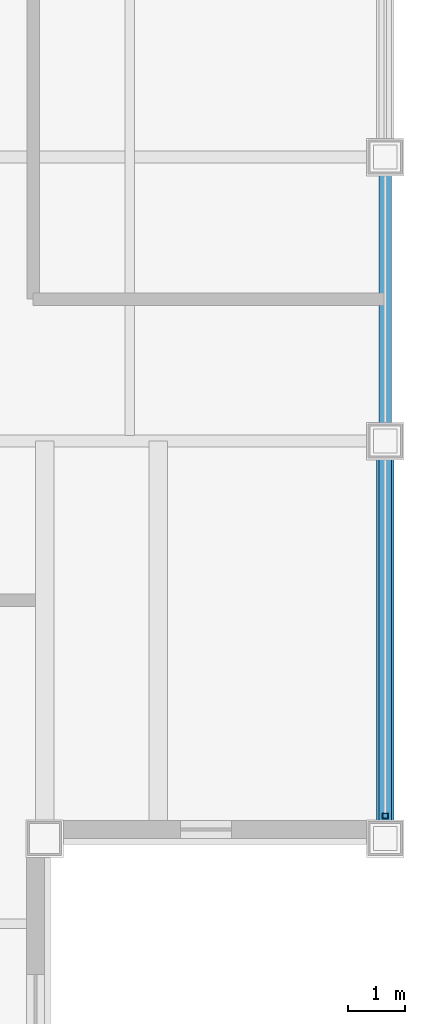
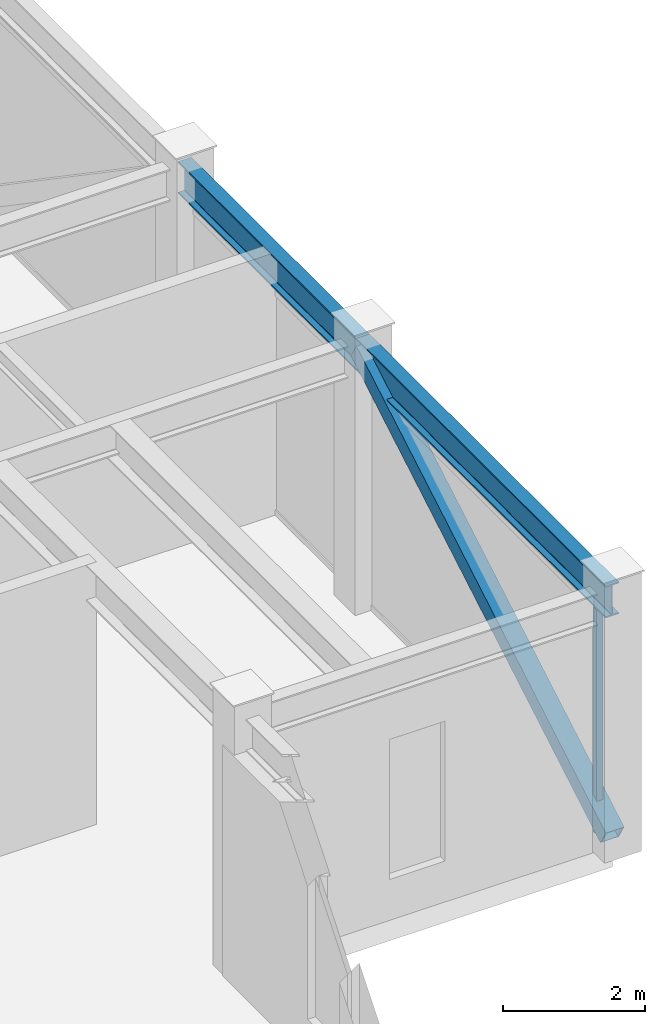
# One storey, part 10 of 27: 2 beams, 2 members, 1 element without a shape of its own.
"""IFC4 building model written with IfcOpenShell, lengths in metres."""

import ifcopenshell
import ifcopenshell.guid

model = None  # the IFC model being written
_history = None  # IfcOwnerHistory: only IFC2X3 demands one
_inside = {}  # id of a spatial element -> (the spatial element, [elements in it])
_under = {}  # id of a project, library or spatial element -> (it, [spatial elements below it])
_declared = {}  # id of a project -> (the project, [libraries it declares])
_typed = {}  # id of a type object -> (the type object, [elements of that type])
_made_of = {}  # id of a material, layer set ... -> (it, [elements and type objects made of it])


def new_model(schema):
    """Start an empty IFC model of exactly this schema.

    Asked for "IFC4X3", IfcOpenShell would pick the latest addendum, in which some entities
    have other attributes; the version numbers below select the first issue.
    IFC2X3 requires an IfcOwnerHistory on every rooted entity: one is made here for all.
    """
    global model, _history
    if schema == "IFC4X3":
        model = ifcopenshell.file(schema_version=(4, 3, 0, 0))
    else:
        model = ifcopenshell.file(schema=schema)
    _inside.clear()
    _under.clear()
    _declared.clear()
    _typed.clear()
    _made_of.clear()
    _history = None
    if model.schema == "IFC2X3":
        org = make("IfcOrganization", Name="unknown")
        user = make(
            "IfcPersonAndOrganization",
            ThePerson=make("IfcPerson", FamilyName="unknown"),
            TheOrganization=org,
        )
        app = make(
            "IfcApplication",
            ApplicationDeveloper=org,
            Version="unknown",
            ApplicationFullName="unknown",
            ApplicationIdentifier="unknown",
        )
        _history = make(
            "IfcOwnerHistory",
            OwningUser=user,
            OwningApplication=app,
            ChangeAction="ADDED",
            CreationDate=0,
        )
    return model


def make(cls, **values):
    """One entity of the class cls with the attributes given. An attribute that is None is left unset."""
    return model.create_entity(
        cls, **{name: value for name, value in values.items() if value is not None}
    )


def rooted(cls, **values):
    """An entity with a GlobalId (a new one), such as an element, a storey or a relation."""
    return make(cls, GlobalId=ifcopenshell.guid.new(), OwnerHistory=_history, **values)


def si_unit(unit_type, name, prefix=None):
    """IfcSIUnit, for example si_unit("LENGTHUNIT", "METRE", prefix="MILLI")."""
    return make("IfcSIUnit", UnitType=unit_type, Prefix=prefix, Name=name)


def assignment(units):
    """IfcUnitAssignment: the units of a project."""
    return None if units is None else make("IfcUnitAssignment", Units=units)


def point(xyz):
    """IfcCartesianPoint."""
    return None if xyz is None else make("IfcCartesianPoint", Coordinates=xyz)


def direction(xyz):
    """IfcDirection."""
    return None if xyz is None else make("IfcDirection", DirectionRatios=xyz)


def frame(location, z_axis=None, x_axis=None):
    """IfcAxis2Placement3D, a coordinate frame: its origin and axes. An axis left out is left unset."""
    return make(
        "IfcAxis2Placement3D",
        Location=point(location),
        Axis=direction(z_axis),
        RefDirection=direction(x_axis),
    )


def frame_2d(location, x_axis=None):
    """IfcAxis2Placement2D, a coordinate frame in the plane: its origin and x axis."""
    return make(
        "IfcAxis2Placement2D", Location=point(location), RefDirection=direction(x_axis)
    )


def origin():
    """The frame at (0, 0, 0) with its axes left unset."""
    return frame((0.0, 0.0, 0.0))


def origin_2d():
    """The frame at (0, 0) in the plane with its x axis left unset."""
    return frame_2d((0.0, 0.0))


def place(relative_to, where):
    """IfcLocalPlacement: puts the frame where relative to a parent placement (None: the world)."""
    return make(
        "IfcLocalPlacement", PlacementRelTo=relative_to, RelativePlacement=where
    )


def context(
    kind, dimensions, precision=None, world=None, true_north=None, identifier=None
):
    """IfcGeometricRepresentationContext, for example the 3D "Model" context."""
    return make(
        "IfcGeometricRepresentationContext",
        ContextIdentifier=identifier,
        ContextType=kind,
        CoordinateSpaceDimension=dimensions,
        Precision=precision,
        WorldCoordinateSystem=world,
        TrueNorth=true_north,
    )


def subcontext(parent, identifier, kind, view, scale=None):
    """IfcGeometricRepresentationSubContext, for example "Body" below "Model"."""
    return make(
        "IfcGeometricRepresentationSubContext",
        ContextIdentifier=identifier,
        ContextType=kind,
        ParentContext=parent,
        TargetScale=scale,
        TargetView=view,
    )


def project(units=None, contexts=None):
    """IfcProject with its units and contexts."""
    return rooted(
        "IfcProject",
        Name="project",
        RepresentationContexts=contexts,
        UnitsInContext=assignment(units),
    )


def spatial(cls, under=None, at=None, **own):
    """A site, building, storey or space (cls), placed at a placement, below another one or the project."""
    s = rooted(cls, ObjectPlacement=at, **own)
    if under is not None:
        _under.setdefault(under.id(), (under, []))[1].append(s)
    return s


def profile(cls, at=None, kind="AREA", **sizes):
    """A parametric profile (cls). Its sizes go by their IFC names, for example OverallWidth=200.0."""
    return make(cls, ProfileType=kind, Position=at, **sizes)


def hollow_rectangle(**sizes):
    """IfcRectangleHollowProfileDef."""
    return profile("IfcRectangleHollowProfileDef", **sizes)


def i_section(**sizes):
    """IfcIShapeProfileDef."""
    return profile("IfcIShapeProfileDef", **sizes)


def extrude(swept, where, along, depth):
    """IfcExtrudedAreaSolid: the profile swept, set in the frame where, extruded along a direction by depth."""
    return make(
        "IfcExtrudedAreaSolid",
        SweptArea=swept,
        Position=where,
        ExtrudedDirection=direction(along),
        Depth=depth,
    )


def shape(context_of_items, identifier, shape_type, items):
    """IfcShapeRepresentation: the items that make up one representation, for example the "Body"."""
    return make(
        "IfcShapeRepresentation",
        ContextOfItems=context_of_items,
        RepresentationIdentifier=identifier,
        RepresentationType=shape_type,
        Items=items,
    )


def source(mapping_origin, context_of_items, identifier, shape_type, items):
    """IfcRepresentationMap: a shape defined once, which mapped items show again and again."""
    return make(
        "IfcRepresentationMap",
        MappingOrigin=mapping_origin,
        MappedRepresentation=shape(context_of_items, identifier, shape_type, items),
    )


def transform(
    local_origin,
    x_axis=None,
    y_axis=None,
    z_axis=None,
    scale=None,
    scale2=None,
    scale3=None,
    uniform=True,
):
    """IfcCartesianTransformationOperator3D, or its non-uniform kind. x_axis, y_axis, z_axis: its Axis1, 2, 3."""
    if uniform:
        return make(
            "IfcCartesianTransformationOperator3D",
            Axis1=direction(x_axis),
            Axis2=direction(y_axis),
            LocalOrigin=point(local_origin),
            Scale=scale,
            Axis3=direction(z_axis),
        )
    return make(
        "IfcCartesianTransformationOperator3DnonUniform",
        Axis1=direction(x_axis),
        Axis2=direction(y_axis),
        LocalOrigin=point(local_origin),
        Scale=scale,
        Axis3=direction(z_axis),
        Scale2=scale2,
        Scale3=scale3,
    )


def mapped(mapping_source, mapping_target):
    """IfcMappedItem: shows the shape of a source again, moved by a transform."""
    return make(
        "IfcMappedItem", MappingSource=mapping_source, MappingTarget=mapping_target
    )


def material(Name=None, Category=None):
    """IfcMaterial."""
    return make("IfcMaterial", Name=Name, Category=Category)


def material_profile(
    of_material, cross_section, Name=None, Category=None, Priority=None
):
    """IfcMaterialProfile: a cross section and its material."""
    return make(
        "IfcMaterialProfile",
        Name=Name,
        Material=of_material,
        Profile=cross_section,
        Priority=Priority,
        Category=Category,
    )


def profile_set(profiles, Name=None, composite=None):
    """IfcMaterialProfileSet."""
    return make(
        "IfcMaterialProfileSet",
        Name=Name,
        MaterialProfiles=profiles,
        CompositeProfile=composite,
    )


def made_of(thing, what):
    """Note that an element or type object is made of a material, layer set ...; save() writes the relation."""
    if what is not None:
        _made_of.setdefault(what.id(), (what, []))[1].append(thing)
    return thing


def type_object(cls, material=None, **own):
    """A type object (cls), such as IfcWallType, which elements share."""
    return made_of(rooted(cls, **own), material)


def element(
    cls,
    number,
    at=None,
    inside=None,
    cuts=None,
    type_object=None,
    material=None,
    context=None,
    identifier="Body",
    shape_type=None,
    held_by="IfcProductDefinitionShape",
    body=None,
    shapes=None,
    **own,
):
    """One element of the class cls, such as IfcWall. Its Tag is "e" and its number.

    at: its placement. inside: the storey or other place that contains it. cuts: it is an
    opening in that element (IfcRelVoidsElement). A single representation is given by context,
    identifier, shape_type and body (its items); several are given by shapes. held_by: the class
    of the entity that holds the representations. save() writes the other relations.
    """
    e = rooted(cls, Tag="e%d" % number, ObjectPlacement=at, **own)
    if body is not None:
        shapes = [shape(context, identifier, shape_type, body)]
    if shapes is not None:
        e.Representation = make(held_by, Representations=shapes)
    if inside is not None:
        _inside.setdefault(inside.id(), (inside, []))[1].append(e)
    if cuts is not None:
        rooted(
            "IfcRelVoidsElement", RelatingBuildingElement=cuts, RelatedOpeningElement=e
        )
    if type_object is not None:
        _typed.setdefault(type_object.id(), (type_object, []))[1].append(e)
    return made_of(e, material)


def aggregate(whole, parts):
    """IfcRelAggregates: a whole, such as a stair, and the parts it consists of."""
    return rooted("IfcRelAggregates", RelatingObject=whole, RelatedObjects=parts)


def save(model, path):
    """Write the relations noted so far, then the file.

    IfcRelAggregates (storeys below a building ...), IfcRelContainedInSpatialStructure (elements
    in a storey), IfcRelDefinesByType, IfcRelAssociatesMaterial and IfcRelDeclares: one each for
    every whole, place, type object, material and project.
    """
    for whole, parts in _under.values():
        aggregate(whole, parts)
    for where, things in _inside.values():
        rooted(
            "IfcRelContainedInSpatialStructure",
            RelatedElements=things,
            RelatingStructure=where,
        )
    for kind, things in _typed.values():
        rooted("IfcRelDefinesByType", RelatedObjects=things, RelatingType=kind)
    for what, things in _made_of.values():
        rooted("IfcRelAssociatesMaterial", RelatedObjects=things, RelatingMaterial=what)
    for by, libraries in _declared.values():
        rooted("IfcRelDeclares", RelatingContext=by, RelatedDefinitions=libraries)
    model.write(path)


model = new_model("IFC4")

# Units and contexts
model_context = context("Model", 3, precision=1e-05, world=origin(), true_north=direction((0.0, 1.0)))
body_context = subcontext(model_context, "Body", "Model", "MODEL_VIEW")
ifc_project = project(units=[si_unit("LENGTHUNIT", "METRE"), si_unit("AREAUNIT", "SQUARE_METRE"), si_unit("VOLUMEUNIT", "CUBIC_METRE"), si_unit("PLANEANGLEUNIT", "RADIAN"), si_unit("MASSUNIT", "GRAM", prefix="KILO")], contexts=[model_context])

# Site, building, storey
site_placement = place(None, origin())
site = spatial("IfcSite", under=ifc_project, at=site_placement, CompositionType="ELEMENT")
building_placement = place(site_placement, origin())
building = spatial("IfcBuilding", under=site, at=building_placement, Name="Khorayat Bourse Tower", CompositionType="ELEMENT")
storey_placement = place(building_placement, frame((0.0, 0.0, 399.5)))
storey = spatial("IfcBuildingStorey", under=building, at=storey_placement, Name="L94", CompositionType="ELEMENT", Elevation=399.5)

# Beams
ifc_material_1 = material(Name="Steel ASTM A992 Grade 50", Category="steel")
ifc_material_profile_1 = material_profile(ifc_material_1, i_section(OverallWidth=0.214111328125, OverallDepth=0.549072265625, WebThickness=0.0146484375, FlangeThickness=0.023681640625, FilletRadius=0.013916015625, at=origin_2d()), Name="W530X138")
ifc_profile_set_1 = profile_set([ifc_material_profile_1], Name="Steel ASTM A992 Grade 50")
beam_type = type_object("IfcBeamType", Name="BM-SPAN-530", PredefinedType="SPANDREL", material=ifc_profile_set_1)
shared_shape_1 = source(origin(), body_context, "Body", "SweptSolid", [
    extrude(i_section(OverallWidth=0.214111328125, OverallDepth=0.549072265625, WebThickness=0.0146484375, FlangeThickness=0.023681640625, FilletRadius=0.013916015625, at=origin_2d()), origin(), (0.0, 0.0, 1.0), 5.0),
])
beam_1_placement = place(storey_placement, frame((24.0, -11.0, 4.2255859375), z_axis=(0.0, 1.0, 0.0), x_axis=(-1.0, 0.0, 0.0)))
element("IfcBeam", 1, at=beam_1_placement, inside=storey, type_object=beam_type, Name="L94 BM-SPAN-530 BM-L94-SPN-033", PredefinedType="SPANDREL", context=body_context, shape_type="MappedRepresentation", body=[
    mapped(shared_shape_1, transform((0.0, 0.0, 0.0), scale=1.0)),
])
shared_shape_2 = source(origin(), body_context, "Body", "SweptSolid", [
    extrude(i_section(OverallWidth=0.214111328125, OverallDepth=0.549072265625, WebThickness=0.0146484375, FlangeThickness=0.023681640625, FilletRadius=0.013916015625, at=origin_2d()), origin(), (0.0, 0.0, 1.0), 7.0),
])
beam_2_placement = place(storey_placement, frame((24.0, -18.0, 4.2255859375), z_axis=(0.0, 1.0, 0.0), x_axis=(-1.0, 0.0, 0.0)))
element("IfcBeam", 2, at=beam_2_placement, inside=storey, type_object=beam_type, Name="L94 BM-SPAN-530 BM-L94-SPN-032", PredefinedType="SPANDREL", context=body_context, shape_type="MappedRepresentation", body=[
    mapped(shared_shape_2, transform((0.0, 0.0, 0.0), scale=1.0)),
])

# Member
ifc_material_2 = material(Name="Steel EN 10025-2 S355J2", Category="steel")
ifc_material_profile_2 = material_profile(ifc_material_2, hollow_rectangle(XDim=0.300048828125, YDim=0.300048828125, WallThickness=0.01611328125, at=origin_2d()), Name="HSS 300x300x16")
ifc_profile_set_2 = profile_set([ifc_material_profile_2], Name="Steel EN 10025-2 S355J2")
member_type_1 = type_object("IfcMemberType", Name="MBR-CROWN-300", PredefinedType="USERDEFINED", material=ifc_profile_set_2)
shared_shape_3 = source(origin(), body_context, "Body", "SweptSolid", [
    extrude(hollow_rectangle(XDim=0.300048828125, YDim=0.300048828125, WallThickness=0.01611328125, at=origin_2d()), origin(), (0.0, 0.0, 1.0), 8.1123046875),
])
member_1_placement = place(storey_placement, frame((24.0, -18.0, 0.199951171875), z_axis=(0.0, 0.862878111278, 0.505412074526), x_axis=(-1.0, 0.0, 0.0)))
element("IfcMember", 3, at=member_1_placement, inside=storey, type_object=member_type_1, Name="L94 Lantern Crown Frame Member 13", ObjectType="CROWN FRAME", PredefinedType="USERDEFINED", context=body_context, shape_type="MappedRepresentation", body=[
    mapped(shared_shape_3, transform((0.0, 0.0, 0.0), scale=1.0)),
])

# Curtain wall, member
ifc_material_3 = material(Name="Aluminium EN AW-6063 T6", Category="aluminium")
curtain_wall_type = type_object("IfcCurtainWallType", Name="CW-SYS-07", PredefinedType="NOTDEFINED", material=ifc_material_3)
curtain_wall_placement = place(storey_placement, origin())
curtain_wall = element("IfcCurtainWall", 4, at=curtain_wall_placement, inside=storey, type_object=curtain_wall_type, Name="L94 Curtain Wall CW-L94-E1", PredefinedType="NOTDEFINED")
ifc_material_profile_3 = material_profile(ifc_material_3, hollow_rectangle(XDim=0.10009765625, YDim=0.10009765625, WallThickness=0.0048828125, at=origin_2d()), Name="ALU 100x100x5")
ifc_profile_set_3 = profile_set([ifc_material_profile_3], Name="Aluminium EN AW-6063 T6")
member_type_2 = type_object("IfcMemberType", Name="CWM-LANTERN-100", PredefinedType="MULLION", material=ifc_profile_set_3)
shared_shape_4 = source(origin(), body_context, "Body", "SweptSolid", [
    extrude(hollow_rectangle(XDim=0.10009765625, YDim=0.10009765625, WallThickness=0.0048828125, at=origin_2d()), origin(), (0.0, 0.0, 1.0), 3.85009765625),
])
member_2_placement = place(storey_placement, frame((24.0, -17.60009765625, 0.0), z_axis=(0.0, 0.0, 1.0), x_axis=(-1.0, 0.0, 0.0)))
member_2 = element("IfcMember", 5, at=member_2_placement, type_object=member_type_2, Name="CW-L94-E1 Vertical Mullion 1", PredefinedType="MULLION", context=body_context, shape_type="MappedRepresentation", body=[
    mapped(shared_shape_4, transform((0.0, 0.0, 0.0), scale=1.0)),
])
aggregate(curtain_wall, [member_2])

save(model, "model.ifc")
